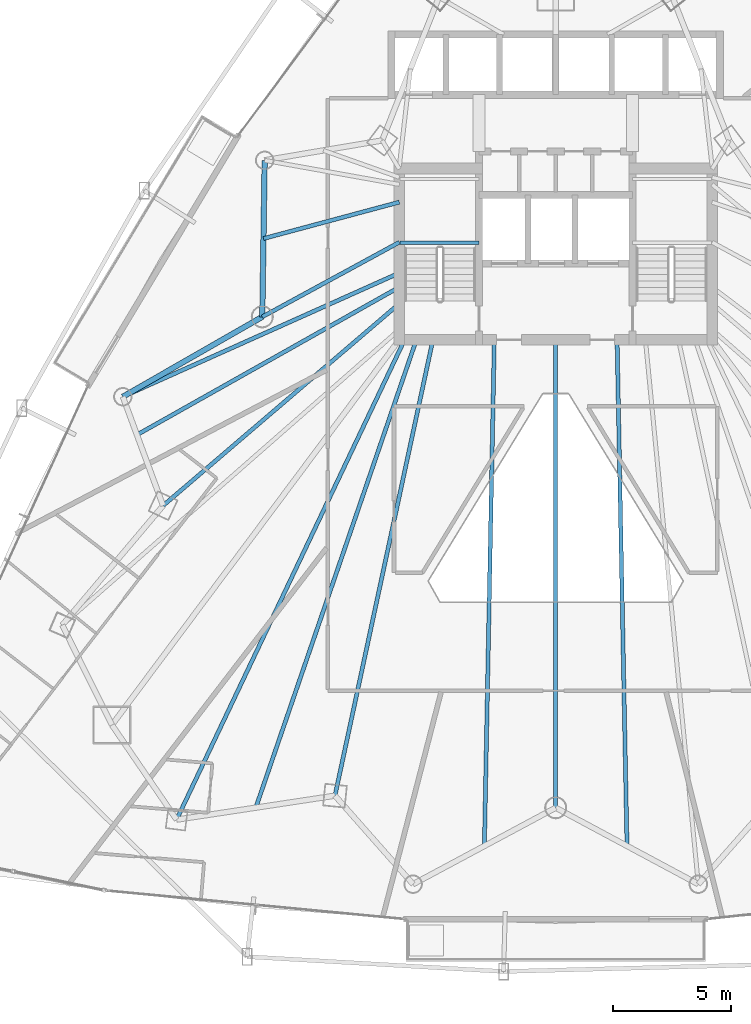
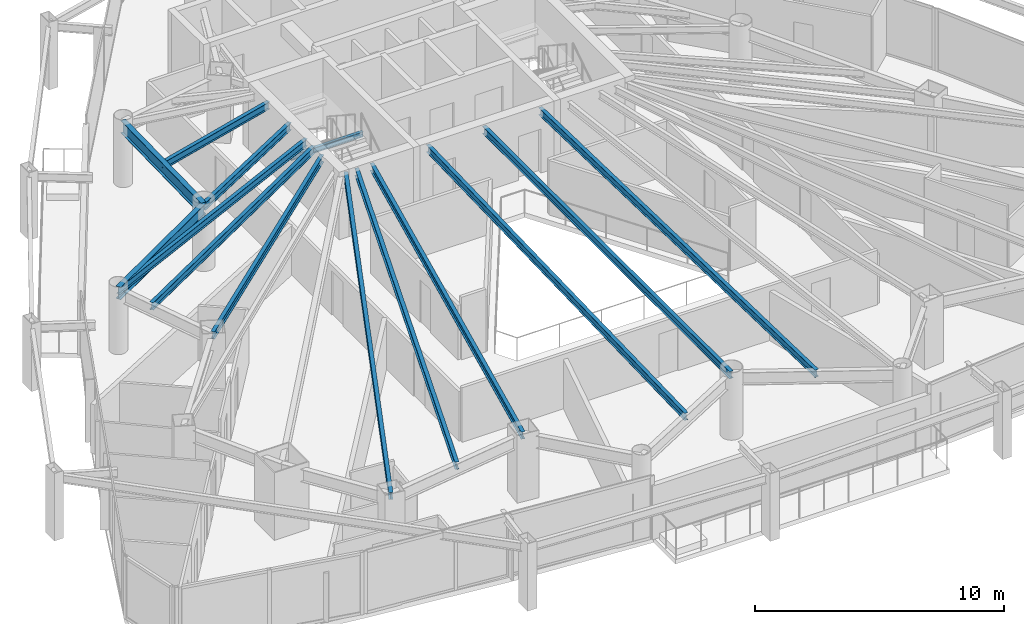
# One storey, part 11 of 34: 14 beams.
"""IFC4 building model written with IfcOpenShell, lengths in metres."""

from ifc_helpers import new_model, si_unit, direction, frame, origin, origin_2d, place, context, subcontext, project, spatial, i_section, extrude, material, material_profile, profile_set, type_object, element, save


model = new_model("IFC4")

# Units and contexts
model_context = context("Model", 3, precision=1e-05, world=origin(), true_north=direction((0.0, 1.0)))
body_context = subcontext(model_context, "Body", "Model", "MODEL_VIEW")
ifc_project = project(units=[si_unit("LENGTHUNIT", "METRE"), si_unit("AREAUNIT", "SQUARE_METRE"), si_unit("VOLUMEUNIT", "CUBIC_METRE"), si_unit("PLANEANGLEUNIT", "RADIAN"), si_unit("MASSUNIT", "GRAM", prefix="KILO")], contexts=[model_context])

# Site, building, storey
site_placement = place(None, origin())
site = spatial("IfcSite", under=ifc_project, at=site_placement, CompositionType="ELEMENT")
building_placement = place(site_placement, origin())
building = spatial("IfcBuilding", under=site, at=building_placement, Name="Orvanel Arch Residences", CompositionType="ELEMENT")
storey_placement = place(building_placement, frame((0.0, 0.0, 74.14990234375)))
storey = spatial("IfcBuildingStorey", under=building, at=storey_placement, Name="L20", CompositionType="ELEMENT", Elevation=74.14990234375)

# Beams
ifc_material = material(Name="Structural steel AS/NZS 3679.1 Grade 300 (300 MPa)", Category="steel")
ifc_material_profile_1 = material_profile(ifc_material, i_section(OverallWidth=0.14599609375, OverallDepth=0.251953125, WebThickness=0.006103515625, FlangeThickness=0.008544921875, at=origin_2d()), Name="250UB31.4")
ifc_profile_set_1 = profile_set([ifc_material_profile_1], Name="Structural steel AS/NZS 3679.1 Grade 300 (300 MPa)")
beam_type_1 = type_object("IfcBeamType", Name="BJ-250UB", PredefinedType="JOIST", material=ifc_profile_set_1)
beam_1_placement = place(storey_placement, frame((26.39990234375, 30.780029296875, 1.32421875), z_axis=(1.0, 0.0, 0.0), x_axis=(0.0, 1.0, 0.0)))
element("IfcBeam", 1, at=beam_1_placement, inside=storey, type_object=beam_type_1, Name="L20 ST-1 Half-Landing Support Beam 1.1", PredefinedType="JOIST", context=body_context, shape_type="SweptSolid", body=[
    extrude(i_section(OverallWidth=0.14599609375, OverallDepth=0.251953125, WebThickness=0.006103515625, FlangeThickness=0.008544921875, at=origin_2d()), origin(), (0.0, 0.0, 1.0), 3.35009765625),
])
ifc_material_profile_2 = material_profile(ifc_material, i_section(OverallWidth=0.1708984375, OverallDepth=0.35595703125, WebThickness=0.00732421875, FlangeThickness=0.011474609375, at=origin_2d()), Name="360UB50.7")
ifc_profile_set_2 = profile_set([ifc_material_profile_2], Name="Structural steel AS/NZS 3679.1 Grade 300 (300 MPa)")
beam_type_2 = type_object("IfcBeamType", Name="BJ-360UB", PredefinedType="JOIST", material=ifc_profile_set_2)
beam_2_placement = place(storey_placement, frame((26.375, 30.800048828125, 2.882080078125), z_axis=(-0.878399029914, -0.477927969726, 0.0), x_axis=(0.477927969726, -0.878399029914, 0.0)))
element("IfcBeam", 2, at=beam_2_placement, inside=storey, type_object=beam_type_2, Name="L20 NW Wing Floor Joist", PredefinedType="JOIST", context=body_context, shape_type="SweptSolid", body=[
    extrude(i_section(OverallWidth=0.1708984375, OverallDepth=0.35595703125, WebThickness=0.00732421875, FlangeThickness=0.011474609375, at=origin_2d()), origin(), (0.0, 0.0, 1.0), 6.609619140625),
])
beam_3_placement = place(storey_placement, frame((26.375, 28.199951171875, 2.882080078125), z_axis=(-0.760024297953, -0.649894658018, 0.0), x_axis=(0.649894658018, -0.760024297953, 0.0)))
element("IfcBeam", 3, at=beam_3_placement, inside=storey, type_object=beam_type_2, Name="L20 W Wing Floor Joist", PredefinedType="JOIST", context=body_context, shape_type="SweptSolid", body=[
    extrude(i_section(OverallWidth=0.1708984375, OverallDepth=0.35595703125, WebThickness=0.00732421875, FlangeThickness=0.011474609375, at=origin_2d()), origin(), (0.0, 0.0, 1.0), 13.16796875),
])
beam_4_placement = place(storey_placement, frame((27.800048828125, 26.675048828125, 2.882080078125), z_axis=(-0.210066515515, -0.977687096703, 0.0), x_axis=(0.977687096703, -0.210066515515, 0.0)))
element("IfcBeam", 4, at=beam_4_placement, inside=storey, type_object=beam_type_2, Name="L20 SW Wing Floor Joist", PredefinedType="JOIST", context=body_context, shape_type="SweptSolid", body=[
    extrude(i_section(OverallWidth=0.1708984375, OverallDepth=0.35595703125, WebThickness=0.00732421875, FlangeThickness=0.011474609375, at=origin_2d()), origin(), (0.0, 0.0, 1.0), 19.760986328125),
])
beam_5_placement = place(storey_placement, frame((33.0, 26.675048828125, 2.882080078125), z_axis=(0.0, -1.0, 0.0), x_axis=(1.0, 0.0, 0.0)))
element("IfcBeam", 5, at=beam_5_placement, inside=storey, type_object=beam_type_2, Name="L20 SSW Wing Floor Joist", PredefinedType="JOIST", context=body_context, shape_type="SweptSolid", body=[
    extrude(i_section(OverallWidth=0.1708984375, OverallDepth=0.35595703125, WebThickness=0.00732421875, FlangeThickness=0.011474609375, at=origin_2d()), origin(), (0.0, 0.0, 1.0), 19.8310546875),
])
beam_6_placement = place(storey_placement, frame((26.375, 32.5, 2.882080078125), z_axis=(-0.965844838168, -0.259121107949, 0.0), x_axis=(0.259121107949, -0.965844838168, 0.0)))
element("IfcBeam", 6, at=beam_6_placement, inside=storey, type_object=beam_type_2, Name="L20 WNW Wing Floor Joist", PredefinedType="JOIST", context=body_context, shape_type="SweptSolid", body=[
    extrude(i_section(OverallWidth=0.1708984375, OverallDepth=0.35595703125, WebThickness=0.00732421875, FlangeThickness=0.011474609375, at=origin_2d()), origin(), (0.0, 0.0, 1.0), 5.95849609375),
])
for number, where, z_axis, x_axis, name in (
    (7, (30.39990234375, 26.675048828125, 2.882080078125), (-0.019617680075, -0.999807554797, 0.0), (0.999807554797, -0.019617680075, 0.0), "L20 WSW2 Wing Floor Joist"),
    (8, (35.60009765625, 26.675048828125, 2.882080078125), (0.019617680075, -0.999807554797, 0.0), (0.999807554797, 0.019617680075, 0.0), "L20 ESE2 Wing Floor Joist"),
):
    element("IfcBeam", number, at=place(storey_placement, frame(where, z_axis=z_axis, x_axis=x_axis)), inside=storey, type_object=beam_type_2, Name=name, PredefinedType="JOIST", context=body_context, shape_type="SweptSolid", body=[
        extrude(i_section(OverallWidth=0.1708984375, OverallDepth=0.35595703125, WebThickness=0.00732421875, FlangeThickness=0.011474609375, at=origin_2d()), origin(), (0.0, 0.0, 1.0), 21.455078125),
    ])
beam_7_placement = place(storey_placement, frame((26.60009765625, 26.675048828125, 2.882080078125), z_axis=(-0.429042657795, -0.903284228686, 0.0), x_axis=(0.903284228686, -0.429042657795, 0.0)))
element("IfcBeam", 9, at=beam_7_placement, inside=storey, type_object=beam_type_2, Name="L20 MSW Wing Floor Joist", PredefinedType="JOIST", context=body_context, shape_type="SweptSolid", body=[
    extrude(i_section(OverallWidth=0.1708984375, OverallDepth=0.35595703125, WebThickness=0.00732421875, FlangeThickness=0.011474609375, at=origin_2d()), origin(), (0.0, 0.0, 1.0), 22.513427734375),
])
beam_8_placement = place(storey_placement, frame((26.375, 29.5, 2.882080078125), z_axis=(-0.912704378681, -0.408620505038, 0.0), x_axis=(0.408620505038, -0.912704378681, 0.0)))
element("IfcBeam", 10, at=beam_8_placement, inside=storey, type_object=beam_type_2, Name="L20 LSW Wing Floor Joist", PredefinedType="JOIST", context=body_context, shape_type="SweptSolid", body=[
    extrude(i_section(OverallWidth=0.1708984375, OverallDepth=0.35595703125, WebThickness=0.00732421875, FlangeThickness=0.011474609375, at=origin_2d()), origin(), (0.0, 0.0, 1.0), 12.833251953125),
])
beam_9_placement = place(storey_placement, frame((26.375, 28.89990234375, 2.882080078125), z_axis=(-0.871372554181, -0.490621923502, 0.0), x_axis=(0.490621923502, -0.871372554181, 0.0)))
element("IfcBeam", 11, at=beam_9_placement, inside=storey, type_object=beam_type_2, Name="L20 CTW Wing Floor Joist", PredefinedType="JOIST", context=body_context, shape_type="SweptSolid", body=[
    extrude(i_section(OverallWidth=0.1708984375, OverallDepth=0.35595703125, WebThickness=0.00732421875, FlangeThickness=0.011474609375, at=origin_2d()), origin(), (0.0, 0.0, 1.0), 12.7568359375),
])
beam_10_placement = place(storey_placement, frame((27.10009765625, 26.675048828125, 2.882080078125), z_axis=(-0.324621456495, -0.945844019901, 0.0), x_axis=(0.945844019901, -0.324621456495, 0.0)))
element("IfcBeam", 12, at=beam_10_placement, inside=storey, type_object=beam_type_2, Name="L20 JADD1 Wing Floor Joist", PredefinedType="JOIST", context=body_context, shape_type="SweptSolid", body=[
    extrude(i_section(OverallWidth=0.1708984375, OverallDepth=0.35595703125, WebThickness=0.00732421875, FlangeThickness=0.011474609375, at=origin_2d()), origin(), (0.0, 0.0, 1.0), 20.96337890625),
])
ifc_material_profile_3 = material_profile(ifc_material, i_section(OverallWidth=0.22900390625, OverallDepth=0.612060546875, WebThickness=0.011962890625, FlangeThickness=0.01953125, at=origin_2d()), Name="610UB125")
ifc_profile_set_3 = profile_set([ifc_material_profile_3], Name="Structural steel AS/NZS 3679.1 Grade 300 (300 MPa)")
beam_type_3 = type_object("IfcBeamType", Name="SP-610UB", PredefinedType="SPANDREL", material=ifc_profile_set_3)
beam_11_placement = place(storey_placement, frame((20.669921875, 34.27099609375, 2.754150390625), z_axis=(-0.015206666874, -0.999884371956, 0.0), x_axis=(0.999884371956, -0.015206666874, 0.0)))
element("IfcBeam", 13, at=beam_11_placement, inside=storey, type_object=beam_type_3, Name="L20 Perimeter Spandrel Beam 20", PredefinedType="SPANDREL", context=body_context, shape_type="SweptSolid", body=[
    extrude(i_section(OverallWidth=0.22900390625, OverallDepth=0.612060546875, WebThickness=0.011962890625, FlangeThickness=0.01953125, at=origin_2d()), origin(), (0.0, 0.0, 1.0), 6.630615234375),
])
beam_12_placement = place(storey_placement, frame((20.569091796875, 27.64111328125, 2.754150390625), z_axis=(-0.867635629025, -0.497200578485, 0.0), x_axis=(0.497200578485, -0.867635629025, 0.0)))
element("IfcBeam", 14, at=beam_12_placement, inside=storey, type_object=beam_type_3, Name="L20 Perimeter Spandrel Beam 21", PredefinedType="SPANDREL", context=body_context, shape_type="SweptSolid", body=[
    extrude(i_section(OverallWidth=0.22900390625, OverallDepth=0.612060546875, WebThickness=0.011962890625, FlangeThickness=0.01953125, at=origin_2d()), origin(), (0.0, 0.0, 1.0), 6.80810546875),
])

save(model, "model.ifc")
